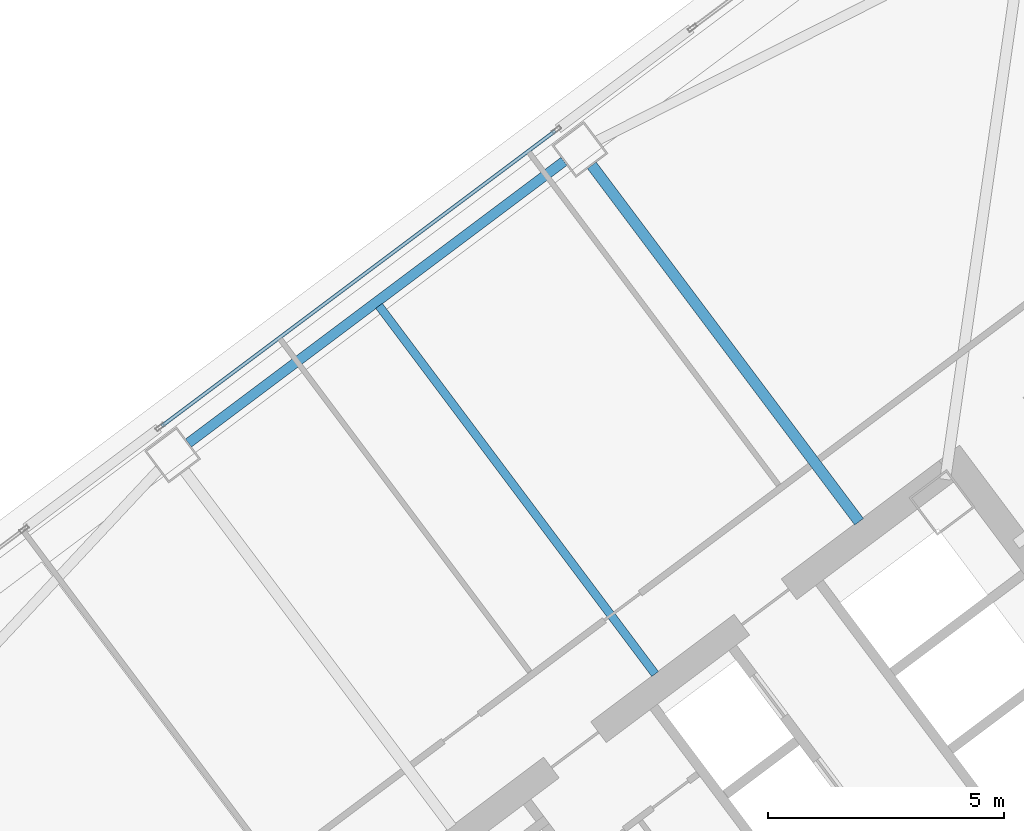
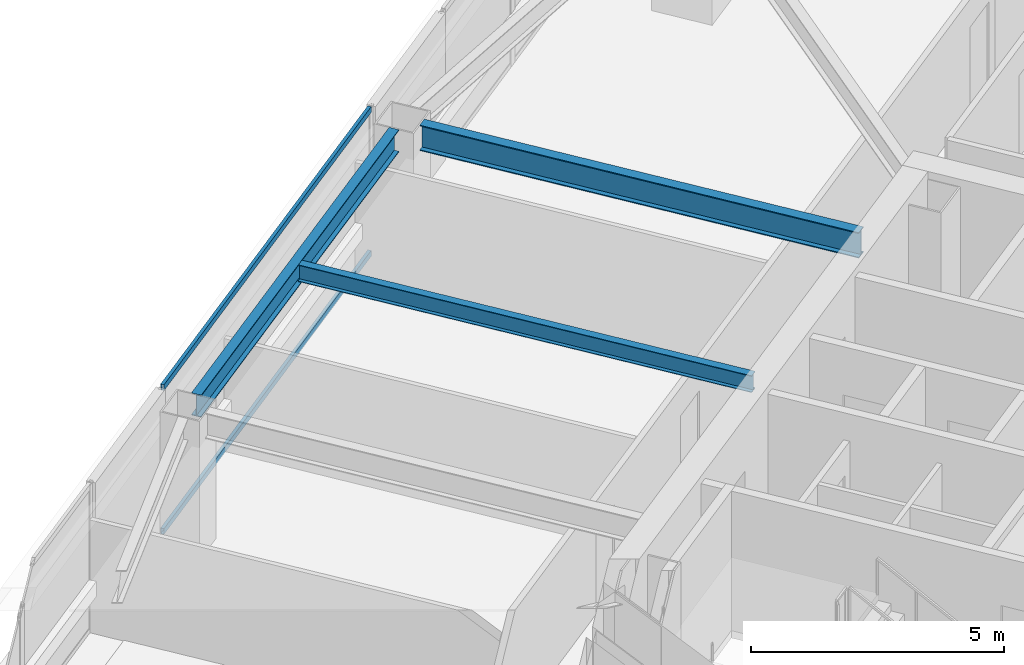
# One storey, part 29 of 46: 3 beams, 2 members, 1 element without a shape of its own.
"""IFC4 building model written with IfcOpenShell, lengths in metres."""

from ifc_helpers import new_model, si_unit, direction, frame, origin, origin_2d, place, context, subcontext, project, spatial, hollow_rectangle, i_section, extrude, material, material_profile, profile_set, type_object, element, aggregate, save


model = new_model("IFC4")

# Units and contexts
model_context = context("Model", 3, precision=1e-05, world=origin(), true_north=direction((0.0, 1.0)))
body_context = subcontext(model_context, "Body", "Model", "MODEL_VIEW")
ifc_project = project(units=[si_unit("LENGTHUNIT", "METRE"), si_unit("AREAUNIT", "SQUARE_METRE"), si_unit("VOLUMEUNIT", "CUBIC_METRE"), si_unit("PLANEANGLEUNIT", "RADIAN"), si_unit("MASSUNIT", "GRAM", prefix="KILO")], contexts=[model_context])

# Site, building, storey
site_placement = place(None, origin())
site = spatial("IfcSite", under=ifc_project, at=site_placement, CompositionType="ELEMENT")
building_placement = place(site_placement, origin())
building = spatial("IfcBuilding", under=site, at=building_placement, Name="Tashvorn Skyway Center", CompositionType="ELEMENT")
storey_placement = place(building_placement, frame((0.0, 0.0, 132.14990234375)))
storey = spatial("IfcBuildingStorey", under=building, at=storey_placement, Name="L35", CompositionType="ELEMENT", Elevation=132.14990234375)

# Beams
ifc_material_1 = material(Name="Steel ASTM A992 Grade 50", Category="steel")
ifc_material_profile_1 = material_profile(ifc_material_1, i_section(OverallWidth=0.22998046875, OverallDepth=0.616943359375, WebThickness=0.01318359375, FlangeThickness=0.022216796875, at=origin_2d()), Name="W24X94")
ifc_profile_set_1 = profile_set([ifc_material_profile_1], Name="Steel ASTM A992 Grade 50")
beam_type_1 = type_object("IfcBeamType", Name="BM-BEAM-W24X94", PredefinedType="BEAM", material=ifc_profile_set_1)
beam_1_placement = place(storey_placement, frame((107.98193359375, 49.02392578125, 3.0615234375), z_axis=(0.600020667896, -0.799984498661, 0.0), x_axis=(0.799984498661, 0.600020667896, 0.0)))
element("IfcBeam", 1, at=beam_1_placement, inside=storey, type_object=beam_type_1, Name="Tower 2 L35 Primary Floor Girder FC-N1", PredefinedType="BEAM", context=body_context, shape_type="SweptSolid", body=[
    extrude(i_section(OverallWidth=0.22998046875, OverallDepth=0.616943359375, WebThickness=0.01318359375, FlangeThickness=0.022216796875, at=origin_2d()), origin(), (0.0, 0.0, 1.0), 9.449951171875),
])
ifc_material_profile_2 = material_profile(ifc_material_1, i_section(OverallWidth=0.177978515625, OverallDepth=0.406005859375, WebThickness=0.0078125, FlangeThickness=0.0126953125, at=origin_2d()), Name="W16X40")
ifc_profile_set_2 = profile_set([ifc_material_profile_2], Name="Steel ASTM A992 Grade 50")
beam_type_2 = type_object("IfcBeamType", Name="BM-JOIST-W16X40", PredefinedType="JOIST", material=ifc_profile_set_2)
beam_2_placement = place(storey_placement, frame((109.325927734375, 38.23193359375, 3.1669921875), z_axis=(-0.599991997409, 0.800006001881, 0.0), x_axis=(-0.800006001881, -0.599991997409, 0.0)))
element("IfcBeam", 2, at=beam_2_placement, inside=storey, type_object=beam_type_2, Name="Tower 2 L35 Secondary Composite Joist JN", PredefinedType="JOIST", context=body_context, shape_type="SweptSolid", body=[
    extrude(i_section(OverallWidth=0.177978515625, OverallDepth=0.406005859375, WebThickness=0.0078125, FlangeThickness=0.0126953125, at=origin_2d()), origin(), (0.0, 0.0, 1.0), 9.762451171875),
])
ifc_material_profile_3 = material_profile(ifc_material_1, i_section(OverallWidth=0.2109375, OverallDepth=0.5390625, WebThickness=0.01171875, FlangeThickness=0.018798828125, at=origin_2d()), Name="W21X73")
ifc_profile_set_3 = profile_set([ifc_material_profile_3], Name="Steel ASTM A992 Grade 50")
beam_type_3 = type_object("IfcBeamType", Name="BM-SPANDREL-W21X73", PredefinedType="SPANDREL", material=ifc_profile_set_3)
beam_3_placement = place(storey_placement, frame((107.39404296875, 49.10791015625, 3.1005859375), z_axis=(-0.800008824351, -0.599988234018, 0.0), x_axis=(0.599988234018, -0.800008824351, 0.0)))
element("IfcBeam", 3, at=beam_3_placement, inside=storey, type_object=beam_type_3, Name="Tower 2 L35 Spandrel Beam 08", PredefinedType="SPANDREL", context=body_context, shape_type="SweptSolid", body=[
    extrude(i_section(OverallWidth=0.2109375, OverallDepth=0.5390625, WebThickness=0.01171875, FlangeThickness=0.018798828125, at=origin_2d()), origin(), (0.0, 0.0, 1.0), 9.9599609375),
])

# Curtain wall, members
ifc_material_2 = material(Name="Thermally broken bronze-anodized aluminium 6063-T6", Category="aluminium")
curtain_wall_type = type_object("IfcCurtainWallType", Name="CW-CW-Z3", PredefinedType="NOTDEFINED", material=ifc_material_2)
curtain_wall_placement = place(storey_placement, origin())
curtain_wall = element("IfcCurtainWall", 4, at=curtain_wall_placement, inside=storey, type_object=curtain_wall_type, Name="Tower 2 L35 North Unitised Curtain Wall Glazing Group 2", PredefinedType="NOTDEFINED")
ifc_material_profile_4 = material_profile(ifc_material_2, hollow_rectangle(XDim=0.074951171875, YDim=0.139892578125, WallThickness=0.004150390625, at=origin_2d()), Name="ALU-TRAN-75x140")
ifc_profile_set_4 = profile_set([ifc_material_profile_4], Name="Thermally broken bronze-anodized aluminium 6063-T6")
member_type = type_object("IfcMemberType", Name="CWT-CW-Z3", PredefinedType="USERDEFINED", material=ifc_profile_set_4)
member_1_placement = place(storey_placement, frame((98.857421875, 43.492919921875, 0.03759765625), z_axis=(0.800002807101, 0.599996257181, 0.0), x_axis=(-0.599996257181, 0.800002807101, 0.0)))
member_1 = element("IfcMember", 5, at=member_1_placement, type_object=member_type, Name="CW-Z3 transom 1.1", ObjectType="TRANSOM", PredefinedType="USERDEFINED", context=body_context, shape_type="SweptSolid", body=[
    extrude(hollow_rectangle(XDim=0.074951171875, YDim=0.139892578125, WallThickness=0.004150390625, at=origin_2d()), origin(), (0.0, 0.0, 1.0), 10.436767578125),
])
member_2_placement = place(storey_placement, frame((98.857421875, 43.492919921875, 3.5126953125), z_axis=(0.800002807101, 0.599996257181, 0.0), x_axis=(-0.599996257181, 0.800002807101, 0.0)))
member_2 = element("IfcMember", 6, at=member_2_placement, type_object=member_type, Name="CW-Z3 transom 1.2", ObjectType="TRANSOM", PredefinedType="USERDEFINED", context=body_context, shape_type="SweptSolid", body=[
    extrude(hollow_rectangle(XDim=0.074951171875, YDim=0.139892578125, WallThickness=0.004150390625, at=origin_2d()), origin(), (0.0, 0.0, 1.0), 10.436767578125),
])
aggregate(curtain_wall, [member_1, member_2])

save(model, "model.ifc")
